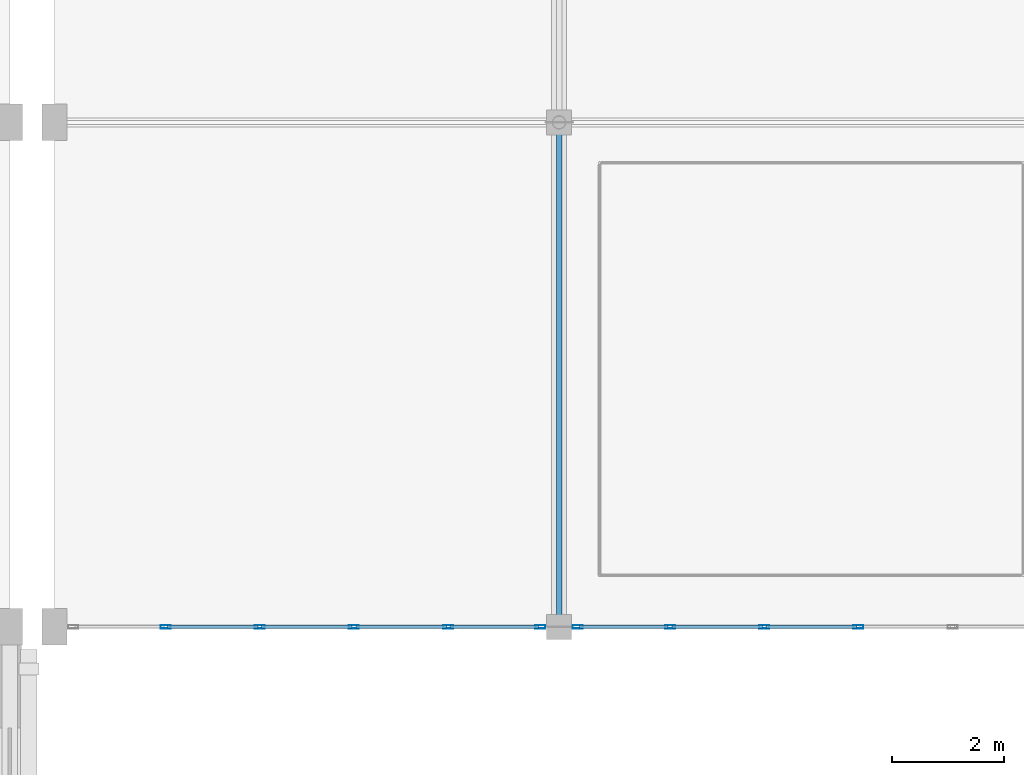
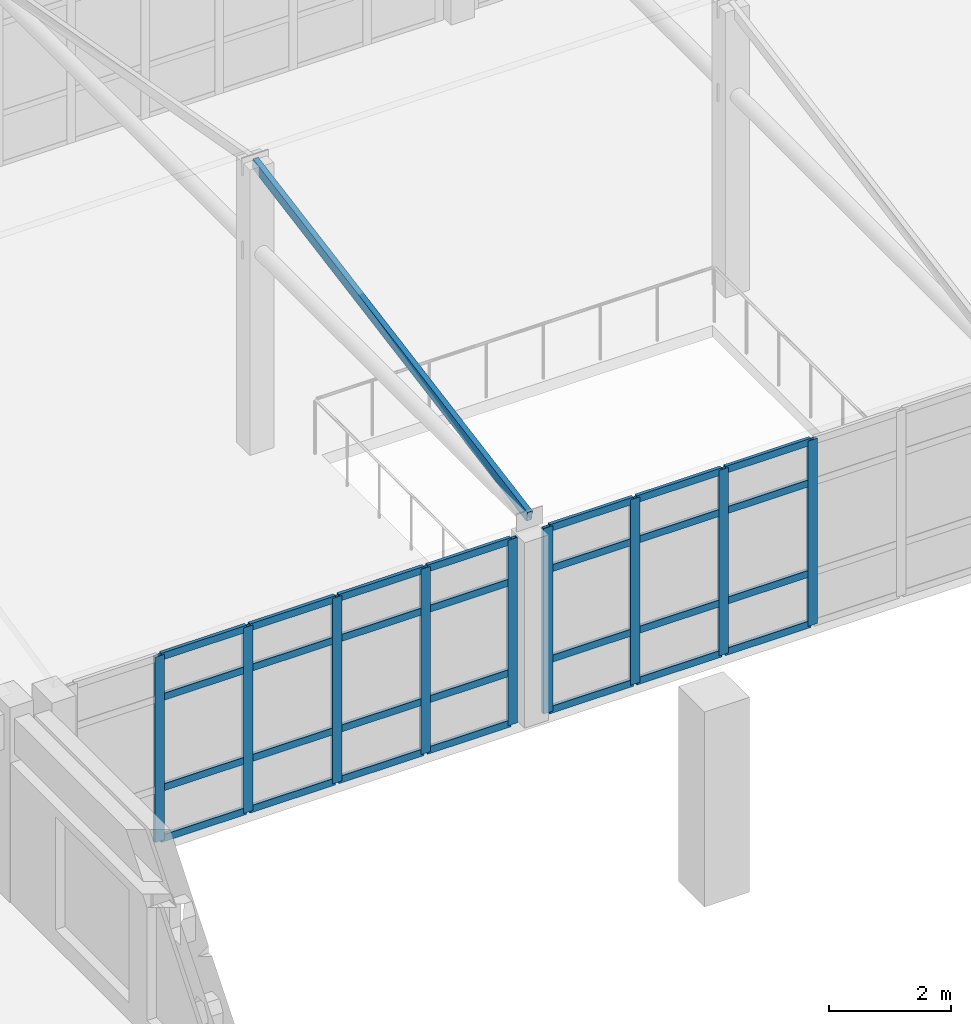
# One storey, part 91 of 156: 38 members, 2 elements without a shape of their own.
"""IFC4 building model written with IfcOpenShell, lengths in metres."""

from ifc_helpers import new_model, si_unit, direction, frame, origin, origin_2d, place, context, subcontext, project, spatial, hollow_rectangle, extrude, material, layer, layer_set, material_profile, profile_set, type_object, element, aggregate, save


model = new_model("IFC4")

# Units and contexts
model_context = context("Model", 3, precision=1e-05, world=origin(), true_north=direction((0.0, 1.0)))
body_context = subcontext(model_context, "Body", "Model", "MODEL_VIEW")
ifc_project = project(units=[si_unit("LENGTHUNIT", "METRE"), si_unit("AREAUNIT", "SQUARE_METRE"), si_unit("VOLUMEUNIT", "CUBIC_METRE"), si_unit("PLANEANGLEUNIT", "RADIAN"), si_unit("MASSUNIT", "GRAM", prefix="KILO")], contexts=[model_context])

# Site, building, storey
site_placement = place(None, origin())
site = spatial("IfcSite", under=ifc_project, at=site_placement, CompositionType="ELEMENT")
building_placement = place(site_placement, origin())
building = spatial("IfcBuilding", under=site, at=building_placement, Name="Ornek Quay Market", CompositionType="ELEMENT")
storey_placement = place(building_placement, frame((0.0, 0.0, 4.5)))
storey = spatial("IfcBuildingStorey", under=building, at=storey_placement, Name="L01", CompositionType="ELEMENT", Elevation=4.5)

# Curtain wall, members
ifc_material_1 = material(Name="Anodised bronze aluminium and triple low-e glass", Category="aluminium")
ifc_layer = layer(ifc_material_1, 0.199951171875, Name="Anodised bronze aluminium and triple low-e glass", Category="aluminium")
ifc_layer_set = layer_set([ifc_layer], Name="Anodised bronze aluminium and triple low-e glass")
curtain_wall_type = type_object("IfcCurtainWallType", Name="CW-CONC-MOD1800", PredefinedType="USERDEFINED", material=ifc_layer_set)
curtain_wall_1_placement = place(storey_placement, origin())
curtain_wall_1 = element("IfcCurtainWall", 1, at=curtain_wall_1_placement, inside=storey, type_object=curtain_wall_type, Name="Curtain wall CW-034", ObjectType="CURTAIN WALL", PredefinedType="USERDEFINED")
ifc_material_2 = material(Name="Anodised aluminium 6063-T6", Category="aluminium")
ifc_material_profile_1 = material_profile(ifc_material_2, hollow_rectangle(XDim=0.06494140625, YDim=0.179931640625, WallThickness=0.00439453125, at=origin_2d()), Name="CW-MUL-65x180", Category="aluminium")
ifc_profile_set_1 = profile_set([ifc_material_profile_1], Name="Anodised aluminium 6063-T6")
member_type_1 = type_object("IfcMemberType", Name="CW-MUL-65x180", PredefinedType="MULLION", material=ifc_profile_set_1)
member_1_placement = place(storey_placement, frame((127.97998046875, 92.0, 0.0), z_axis=(0.0, 0.0, 1.0), x_axis=(0.0, 1.0, 0.0)))
member_1 = element("IfcMember", 2, at=member_1_placement, type_object=member_type_1, Name="CW-034 mullion 2", PredefinedType="MULLION", context=body_context, shape_type="SweptSolid", body=[
    extrude(hollow_rectangle(XDim=0.06494140625, YDim=0.179931640625, WallThickness=0.00439453125, at=origin_2d()), origin(), (0.0, 0.0, 1.0), 3.7099609375),
])
member_2_placement = place(storey_placement, frame((129.659912109375, 92.0, 0.0), z_axis=(0.0, 0.0, 1.0), x_axis=(0.0, 1.0, 0.0)))
member_2 = element("IfcMember", 3, at=member_2_placement, type_object=member_type_1, Name="CW-034 mullion 3", PredefinedType="MULLION", context=body_context, shape_type="SweptSolid", body=[
    extrude(hollow_rectangle(XDim=0.06494140625, YDim=0.179931640625, WallThickness=0.00439453125, at=origin_2d()), origin(), (0.0, 0.0, 1.0), 3.7099609375),
])
member_3_placement = place(storey_placement, frame((131.340087890625, 92.0, 0.0), z_axis=(0.0, 0.0, 1.0), x_axis=(0.0, 1.0, 0.0)))
member_3 = element("IfcMember", 4, at=member_3_placement, type_object=member_type_1, Name="CW-034 mullion 4", PredefinedType="MULLION", context=body_context, shape_type="SweptSolid", body=[
    extrude(hollow_rectangle(XDim=0.06494140625, YDim=0.179931640625, WallThickness=0.00439453125, at=origin_2d()), origin(), (0.0, 0.0, 1.0), 3.7099609375),
])
member_4_placement = place(storey_placement, frame((133.02001953125, 92.0, 0.0), z_axis=(0.0, 0.0, 1.0), x_axis=(0.0, 1.0, 0.0)))
member_4 = element("IfcMember", 5, at=member_4_placement, type_object=member_type_1, Name="CW-034 mullion 5", PredefinedType="MULLION", context=body_context, shape_type="SweptSolid", body=[
    extrude(hollow_rectangle(XDim=0.06494140625, YDim=0.179931640625, WallThickness=0.00439453125, at=origin_2d()), origin(), (0.0, 0.0, 1.0), 3.7099609375),
])
member_5_placement = place(storey_placement, frame((134.66748046875, 92.0, 0.0), z_axis=(0.0, 0.0, 1.0), x_axis=(0.0, 1.0, 0.0)))
member_5 = element("IfcMember", 6, at=member_5_placement, type_object=member_type_1, Name="CW-034 mullion 6", PredefinedType="MULLION", context=body_context, shape_type="SweptSolid", body=[
    extrude(hollow_rectangle(XDim=0.06494140625, YDim=0.179931640625, WallThickness=0.00439453125, at=origin_2d()), origin(), (0.0, 0.0, 1.0), 3.7099609375),
])

curtain_wall_2_placement = place(storey_placement, origin())
curtain_wall_2 = element("IfcCurtainWall", 7, at=curtain_wall_2_placement, inside=storey, type_object=curtain_wall_type, Name="Curtain wall CW-038", ObjectType="CURTAIN WALL", PredefinedType="USERDEFINED")
member_6_placement = place(storey_placement, frame((135.33251953125, 92.0, 0.0), z_axis=(0.0, 0.0, 1.0), x_axis=(0.0, 1.0, 0.0)))
member_6 = element("IfcMember", 8, at=member_6_placement, type_object=member_type_1, Name="CW-038 mullion 1", PredefinedType="MULLION", context=body_context, shape_type="SweptSolid", body=[
    extrude(hollow_rectangle(XDim=0.06494140625, YDim=0.179931640625, WallThickness=0.00439453125, at=origin_2d()), origin(), (0.0, 0.0, 1.0), 3.7099609375),
])
member_7_placement = place(storey_placement, frame((136.97998046875, 92.0, 0.0), z_axis=(0.0, 0.0, 1.0), x_axis=(0.0, 1.0, 0.0)))
member_7 = element("IfcMember", 9, at=member_7_placement, type_object=member_type_1, Name="CW-038 mullion 2", PredefinedType="MULLION", context=body_context, shape_type="SweptSolid", body=[
    extrude(hollow_rectangle(XDim=0.06494140625, YDim=0.179931640625, WallThickness=0.00439453125, at=origin_2d()), origin(), (0.0, 0.0, 1.0), 3.7099609375),
])
member_8_placement = place(storey_placement, frame((138.659912109375, 92.0, 0.0), z_axis=(0.0, 0.0, 1.0), x_axis=(0.0, 1.0, 0.0)))
member_8 = element("IfcMember", 10, at=member_8_placement, type_object=member_type_1, Name="CW-038 mullion 3", PredefinedType="MULLION", context=body_context, shape_type="SweptSolid", body=[
    extrude(hollow_rectangle(XDim=0.06494140625, YDim=0.179931640625, WallThickness=0.00439453125, at=origin_2d()), origin(), (0.0, 0.0, 1.0), 3.7099609375),
])
member_9_placement = place(storey_placement, frame((140.340087890625, 92.0, 0.0), z_axis=(0.0, 0.0, 1.0), x_axis=(0.0, 1.0, 0.0)))
member_9 = element("IfcMember", 11, at=member_9_placement, type_object=member_type_1, Name="CW-038 mullion 4", PredefinedType="MULLION", context=body_context, shape_type="SweptSolid", body=[
    extrude(hollow_rectangle(XDim=0.06494140625, YDim=0.179931640625, WallThickness=0.00439453125, at=origin_2d()), origin(), (0.0, 0.0, 1.0), 3.7099609375),
])

# Member
ifc_material_profile_2 = material_profile(ifc_material_2, hollow_rectangle(XDim=0.06494140625, YDim=0.139892578125, WallThickness=0.00439453125, at=origin_2d()), Name="CW-TRN-65x140", Category="aluminium")
ifc_profile_set_2 = profile_set([ifc_material_profile_2], Name="Anodised aluminium 6063-T6")
member_type_2 = type_object("IfcMemberType", Name="CW-TRN-65x140", PredefinedType="USERDEFINED", material=ifc_profile_set_2)
member_10_placement = place(storey_placement, frame((128.012451171875, 92.0, 0.032470703125), z_axis=(1.0, 0.0, 0.0), x_axis=(0.0, 1.0, 0.0)))
member_10 = element("IfcMember", 12, at=member_10_placement, type_object=member_type_2, Name="CW-034 transom 2.1", ObjectType="TRANSOM", PredefinedType="USERDEFINED", context=body_context, shape_type="SweptSolid", body=[
    extrude(hollow_rectangle(XDim=0.06494140625, YDim=0.139892578125, WallThickness=0.00439453125, at=origin_2d()), origin(), (0.0, 0.0, 1.0), 1.614990234375),
])

member_11_placement = place(storey_placement, frame((128.012451171875, 92.0, 1.050048828125), z_axis=(1.0, 0.0, 0.0), x_axis=(0.0, 1.0, 0.0)))
member_11 = element("IfcMember", 13, at=member_11_placement, type_object=member_type_2, Name="CW-034 transom 2.2", ObjectType="TRANSOM", PredefinedType="USERDEFINED", context=body_context, shape_type="SweptSolid", body=[
    extrude(hollow_rectangle(XDim=0.06494140625, YDim=0.139892578125, WallThickness=0.00439453125, at=origin_2d()), origin(), (0.0, 0.0, 1.0), 1.614990234375),
])

member_12_placement = place(storey_placement, frame((128.012451171875, 92.0, 2.860107421875), z_axis=(1.0, 0.0, 0.0), x_axis=(0.0, 1.0, 0.0)))
member_12 = element("IfcMember", 14, at=member_12_placement, type_object=member_type_2, Name="CW-034 transom 2.3", ObjectType="TRANSOM", PredefinedType="USERDEFINED", context=body_context, shape_type="SweptSolid", body=[
    extrude(hollow_rectangle(XDim=0.06494140625, YDim=0.139892578125, WallThickness=0.00439453125, at=origin_2d()), origin(), (0.0, 0.0, 1.0), 1.614990234375),
])

member_13_placement = place(storey_placement, frame((128.012451171875, 92.0, 3.677490234375), z_axis=(1.0, 0.0, 0.0), x_axis=(0.0, 1.0, 0.0)))
member_13 = element("IfcMember", 15, at=member_13_placement, type_object=member_type_2, Name="CW-034 transom 2.4", ObjectType="TRANSOM", PredefinedType="USERDEFINED", context=body_context, shape_type="SweptSolid", body=[
    extrude(hollow_rectangle(XDim=0.06494140625, YDim=0.139892578125, WallThickness=0.00439453125, at=origin_2d()), origin(), (0.0, 0.0, 1.0), 1.614990234375),
])

member_14_placement = place(storey_placement, frame((129.6923828125, 92.0, 0.032470703125), z_axis=(1.0, 0.0, 0.0), x_axis=(0.0, 1.0, 0.0)))
member_14 = element("IfcMember", 16, at=member_14_placement, type_object=member_type_2, Name="CW-034 transom 3.1", ObjectType="TRANSOM", PredefinedType="USERDEFINED", context=body_context, shape_type="SweptSolid", body=[
    extrude(hollow_rectangle(XDim=0.06494140625, YDim=0.139892578125, WallThickness=0.00439453125, at=origin_2d()), origin(), (0.0, 0.0, 1.0), 1.615234375),
])

member_15_placement = place(storey_placement, frame((129.6923828125, 92.0, 1.050048828125), z_axis=(1.0, 0.0, 0.0), x_axis=(0.0, 1.0, 0.0)))
member_15 = element("IfcMember", 17, at=member_15_placement, type_object=member_type_2, Name="CW-034 transom 3.2", ObjectType="TRANSOM", PredefinedType="USERDEFINED", context=body_context, shape_type="SweptSolid", body=[
    extrude(hollow_rectangle(XDim=0.06494140625, YDim=0.139892578125, WallThickness=0.00439453125, at=origin_2d()), origin(), (0.0, 0.0, 1.0), 1.615234375),
])

member_16_placement = place(storey_placement, frame((129.6923828125, 92.0, 2.860107421875), z_axis=(1.0, 0.0, 0.0), x_axis=(0.0, 1.0, 0.0)))
member_16 = element("IfcMember", 18, at=member_16_placement, type_object=member_type_2, Name="CW-034 transom 3.3", ObjectType="TRANSOM", PredefinedType="USERDEFINED", context=body_context, shape_type="SweptSolid", body=[
    extrude(hollow_rectangle(XDim=0.06494140625, YDim=0.139892578125, WallThickness=0.00439453125, at=origin_2d()), origin(), (0.0, 0.0, 1.0), 1.615234375),
])

member_17_placement = place(storey_placement, frame((129.6923828125, 92.0, 3.677490234375), z_axis=(1.0, 0.0, 0.0), x_axis=(0.0, 1.0, 0.0)))
member_17 = element("IfcMember", 19, at=member_17_placement, type_object=member_type_2, Name="CW-034 transom 3.4", ObjectType="TRANSOM", PredefinedType="USERDEFINED", context=body_context, shape_type="SweptSolid", body=[
    extrude(hollow_rectangle(XDim=0.06494140625, YDim=0.139892578125, WallThickness=0.00439453125, at=origin_2d()), origin(), (0.0, 0.0, 1.0), 1.615234375),
])

member_18_placement = place(storey_placement, frame((131.37255859375, 92.0, 0.032470703125), z_axis=(1.0, 0.0, 0.0), x_axis=(0.0, 1.0, 0.0)))
member_18 = element("IfcMember", 20, at=member_18_placement, type_object=member_type_2, Name="CW-034 transom 4.1", ObjectType="TRANSOM", PredefinedType="USERDEFINED", context=body_context, shape_type="SweptSolid", body=[
    extrude(hollow_rectangle(XDim=0.06494140625, YDim=0.139892578125, WallThickness=0.00439453125, at=origin_2d()), origin(), (0.0, 0.0, 1.0), 1.614990234375),
])

member_19_placement = place(storey_placement, frame((131.37255859375, 92.0, 1.050048828125), z_axis=(1.0, 0.0, 0.0), x_axis=(0.0, 1.0, 0.0)))
member_19 = element("IfcMember", 21, at=member_19_placement, type_object=member_type_2, Name="CW-034 transom 4.2", ObjectType="TRANSOM", PredefinedType="USERDEFINED", context=body_context, shape_type="SweptSolid", body=[
    extrude(hollow_rectangle(XDim=0.06494140625, YDim=0.139892578125, WallThickness=0.00439453125, at=origin_2d()), origin(), (0.0, 0.0, 1.0), 1.614990234375),
])

member_20_placement = place(storey_placement, frame((131.37255859375, 92.0, 2.860107421875), z_axis=(1.0, 0.0, 0.0), x_axis=(0.0, 1.0, 0.0)))
member_20 = element("IfcMember", 22, at=member_20_placement, type_object=member_type_2, Name="CW-034 transom 4.3", ObjectType="TRANSOM", PredefinedType="USERDEFINED", context=body_context, shape_type="SweptSolid", body=[
    extrude(hollow_rectangle(XDim=0.06494140625, YDim=0.139892578125, WallThickness=0.00439453125, at=origin_2d()), origin(), (0.0, 0.0, 1.0), 1.614990234375),
])

member_21_placement = place(storey_placement, frame((131.37255859375, 92.0, 3.677490234375), z_axis=(1.0, 0.0, 0.0), x_axis=(0.0, 1.0, 0.0)))
member_21 = element("IfcMember", 23, at=member_21_placement, type_object=member_type_2, Name="CW-034 transom 4.4", ObjectType="TRANSOM", PredefinedType="USERDEFINED", context=body_context, shape_type="SweptSolid", body=[
    extrude(hollow_rectangle(XDim=0.06494140625, YDim=0.139892578125, WallThickness=0.00439453125, at=origin_2d()), origin(), (0.0, 0.0, 1.0), 1.614990234375),
])

member_22_placement = place(storey_placement, frame((133.052490234375, 92.0, 0.032470703125), z_axis=(1.0, 0.0, 0.0), x_axis=(0.0, 1.0, 0.0)))
member_22 = element("IfcMember", 24, at=member_22_placement, type_object=member_type_2, Name="CW-034 transom 5.1", ObjectType="TRANSOM", PredefinedType="USERDEFINED", context=body_context, shape_type="SweptSolid", body=[
    extrude(hollow_rectangle(XDim=0.06494140625, YDim=0.139892578125, WallThickness=0.00439453125, at=origin_2d()), origin(), (0.0, 0.0, 1.0), 1.58251953125),
])

member_23_placement = place(storey_placement, frame((133.052490234375, 92.0, 1.050048828125), z_axis=(1.0, 0.0, 0.0), x_axis=(0.0, 1.0, 0.0)))
member_23 = element("IfcMember", 25, at=member_23_placement, type_object=member_type_2, Name="CW-034 transom 5.2", ObjectType="TRANSOM", PredefinedType="USERDEFINED", context=body_context, shape_type="SweptSolid", body=[
    extrude(hollow_rectangle(XDim=0.06494140625, YDim=0.139892578125, WallThickness=0.00439453125, at=origin_2d()), origin(), (0.0, 0.0, 1.0), 1.58251953125),
])

member_24_placement = place(storey_placement, frame((133.052490234375, 92.0, 2.860107421875), z_axis=(1.0, 0.0, 0.0), x_axis=(0.0, 1.0, 0.0)))
member_24 = element("IfcMember", 26, at=member_24_placement, type_object=member_type_2, Name="CW-034 transom 5.3", ObjectType="TRANSOM", PredefinedType="USERDEFINED", context=body_context, shape_type="SweptSolid", body=[
    extrude(hollow_rectangle(XDim=0.06494140625, YDim=0.139892578125, WallThickness=0.00439453125, at=origin_2d()), origin(), (0.0, 0.0, 1.0), 1.58251953125),
])

member_25_placement = place(storey_placement, frame((133.052490234375, 92.0, 3.677490234375), z_axis=(1.0, 0.0, 0.0), x_axis=(0.0, 1.0, 0.0)))
member_25 = element("IfcMember", 27, at=member_25_placement, type_object=member_type_2, Name="CW-034 transom 5.4", ObjectType="TRANSOM", PredefinedType="USERDEFINED", context=body_context, shape_type="SweptSolid", body=[
    extrude(hollow_rectangle(XDim=0.06494140625, YDim=0.139892578125, WallThickness=0.00439453125, at=origin_2d()), origin(), (0.0, 0.0, 1.0), 1.58251953125),
])

aggregate(curtain_wall_1, [member_1, member_2, member_3, member_4, member_5, member_10, member_11, member_12, member_13, member_14, member_15, member_16, member_17, member_18, member_19, member_20, member_21, member_22, member_23, member_24, member_25])

member_26_placement = place(storey_placement, frame((135.364990234375, 92.0, 0.032470703125), z_axis=(1.0, 0.0, 0.0), x_axis=(0.0, 1.0, 0.0)))
member_26 = element("IfcMember", 28, at=member_26_placement, type_object=member_type_2, Name="CW-038 transom 1.1", ObjectType="TRANSOM", PredefinedType="USERDEFINED", context=body_context, shape_type="SweptSolid", body=[
    extrude(hollow_rectangle(XDim=0.06494140625, YDim=0.139892578125, WallThickness=0.00439453125, at=origin_2d()), origin(), (0.0, 0.0, 1.0), 1.58251953125),
])

member_27_placement = place(storey_placement, frame((135.364990234375, 92.0, 1.050048828125), z_axis=(1.0, 0.0, 0.0), x_axis=(0.0, 1.0, 0.0)))
member_27 = element("IfcMember", 29, at=member_27_placement, type_object=member_type_2, Name="CW-038 transom 1.2", ObjectType="TRANSOM", PredefinedType="USERDEFINED", context=body_context, shape_type="SweptSolid", body=[
    extrude(hollow_rectangle(XDim=0.06494140625, YDim=0.139892578125, WallThickness=0.00439453125, at=origin_2d()), origin(), (0.0, 0.0, 1.0), 1.58251953125),
])

member_28_placement = place(storey_placement, frame((135.364990234375, 92.0, 2.860107421875), z_axis=(1.0, 0.0, 0.0), x_axis=(0.0, 1.0, 0.0)))
member_28 = element("IfcMember", 30, at=member_28_placement, type_object=member_type_2, Name="CW-038 transom 1.3", ObjectType="TRANSOM", PredefinedType="USERDEFINED", context=body_context, shape_type="SweptSolid", body=[
    extrude(hollow_rectangle(XDim=0.06494140625, YDim=0.139892578125, WallThickness=0.00439453125, at=origin_2d()), origin(), (0.0, 0.0, 1.0), 1.58251953125),
])

member_29_placement = place(storey_placement, frame((135.364990234375, 92.0, 3.677490234375), z_axis=(1.0, 0.0, 0.0), x_axis=(0.0, 1.0, 0.0)))
member_29 = element("IfcMember", 31, at=member_29_placement, type_object=member_type_2, Name="CW-038 transom 1.4", ObjectType="TRANSOM", PredefinedType="USERDEFINED", context=body_context, shape_type="SweptSolid", body=[
    extrude(hollow_rectangle(XDim=0.06494140625, YDim=0.139892578125, WallThickness=0.00439453125, at=origin_2d()), origin(), (0.0, 0.0, 1.0), 1.58251953125),
])

member_30_placement = place(storey_placement, frame((137.012451171875, 92.0, 0.032470703125), z_axis=(1.0, 0.0, 0.0), x_axis=(0.0, 1.0, 0.0)))
member_30 = element("IfcMember", 32, at=member_30_placement, type_object=member_type_2, Name="CW-038 transom 2.1", ObjectType="TRANSOM", PredefinedType="USERDEFINED", context=body_context, shape_type="SweptSolid", body=[
    extrude(hollow_rectangle(XDim=0.06494140625, YDim=0.139892578125, WallThickness=0.00439453125, at=origin_2d()), origin(), (0.0, 0.0, 1.0), 1.614990234375),
])

member_31_placement = place(storey_placement, frame((137.012451171875, 92.0, 1.050048828125), z_axis=(1.0, 0.0, 0.0), x_axis=(0.0, 1.0, 0.0)))
member_31 = element("IfcMember", 33, at=member_31_placement, type_object=member_type_2, Name="CW-038 transom 2.2", ObjectType="TRANSOM", PredefinedType="USERDEFINED", context=body_context, shape_type="SweptSolid", body=[
    extrude(hollow_rectangle(XDim=0.06494140625, YDim=0.139892578125, WallThickness=0.00439453125, at=origin_2d()), origin(), (0.0, 0.0, 1.0), 1.614990234375),
])

member_32_placement = place(storey_placement, frame((137.012451171875, 92.0, 2.860107421875), z_axis=(1.0, 0.0, 0.0), x_axis=(0.0, 1.0, 0.0)))
member_32 = element("IfcMember", 34, at=member_32_placement, type_object=member_type_2, Name="CW-038 transom 2.3", ObjectType="TRANSOM", PredefinedType="USERDEFINED", context=body_context, shape_type="SweptSolid", body=[
    extrude(hollow_rectangle(XDim=0.06494140625, YDim=0.139892578125, WallThickness=0.00439453125, at=origin_2d()), origin(), (0.0, 0.0, 1.0), 1.614990234375),
])

member_33_placement = place(storey_placement, frame((137.012451171875, 92.0, 3.677490234375), z_axis=(1.0, 0.0, 0.0), x_axis=(0.0, 1.0, 0.0)))
member_33 = element("IfcMember", 35, at=member_33_placement, type_object=member_type_2, Name="CW-038 transom 2.4", ObjectType="TRANSOM", PredefinedType="USERDEFINED", context=body_context, shape_type="SweptSolid", body=[
    extrude(hollow_rectangle(XDim=0.06494140625, YDim=0.139892578125, WallThickness=0.00439453125, at=origin_2d()), origin(), (0.0, 0.0, 1.0), 1.614990234375),
])

member_34_placement = place(storey_placement, frame((138.6923828125, 92.0, 0.032470703125), z_axis=(1.0, 0.0, 0.0), x_axis=(0.0, 1.0, 0.0)))
member_34 = element("IfcMember", 36, at=member_34_placement, type_object=member_type_2, Name="CW-038 transom 3.1", ObjectType="TRANSOM", PredefinedType="USERDEFINED", context=body_context, shape_type="SweptSolid", body=[
    extrude(hollow_rectangle(XDim=0.06494140625, YDim=0.139892578125, WallThickness=0.00439453125, at=origin_2d()), origin(), (0.0, 0.0, 1.0), 1.615234375),
])

member_35_placement = place(storey_placement, frame((138.6923828125, 92.0, 1.050048828125), z_axis=(1.0, 0.0, 0.0), x_axis=(0.0, 1.0, 0.0)))
member_35 = element("IfcMember", 37, at=member_35_placement, type_object=member_type_2, Name="CW-038 transom 3.2", ObjectType="TRANSOM", PredefinedType="USERDEFINED", context=body_context, shape_type="SweptSolid", body=[
    extrude(hollow_rectangle(XDim=0.06494140625, YDim=0.139892578125, WallThickness=0.00439453125, at=origin_2d()), origin(), (0.0, 0.0, 1.0), 1.615234375),
])

member_36_placement = place(storey_placement, frame((138.6923828125, 92.0, 2.860107421875), z_axis=(1.0, 0.0, 0.0), x_axis=(0.0, 1.0, 0.0)))
member_36 = element("IfcMember", 38, at=member_36_placement, type_object=member_type_2, Name="CW-038 transom 3.3", ObjectType="TRANSOM", PredefinedType="USERDEFINED", context=body_context, shape_type="SweptSolid", body=[
    extrude(hollow_rectangle(XDim=0.06494140625, YDim=0.139892578125, WallThickness=0.00439453125, at=origin_2d()), origin(), (0.0, 0.0, 1.0), 1.615234375),
])

member_37_placement = place(storey_placement, frame((138.6923828125, 92.0, 3.677490234375), z_axis=(1.0, 0.0, 0.0), x_axis=(0.0, 1.0, 0.0)))
member_37 = element("IfcMember", 39, at=member_37_placement, type_object=member_type_2, Name="CW-038 transom 3.4", ObjectType="TRANSOM", PredefinedType="USERDEFINED", context=body_context, shape_type="SweptSolid", body=[
    extrude(hollow_rectangle(XDim=0.06494140625, YDim=0.139892578125, WallThickness=0.00439453125, at=origin_2d()), origin(), (0.0, 0.0, 1.0), 1.615234375),
])

aggregate(curtain_wall_2, [member_6, member_7, member_8, member_9, member_26, member_27, member_28, member_29, member_30, member_31, member_32, member_33, member_34, member_35, member_36, member_37])

ifc_material_3 = material(Name="Steel S355", Category="steel")
ifc_material_profile_3 = material_profile(ifc_material_3, hollow_rectangle(XDim=0.10009765625, YDim=0.199951171875, WallThickness=0.008056640625, at=origin_2d()), Name="MBR-RAF-100x200", Category="steel")
ifc_profile_set_3 = profile_set([ifc_material_profile_3], Name="Steel S355")
member_type_3 = type_object("IfcMemberType", Name="MBR-RAF-100x200", PredefinedType="RAFTER", material=ifc_profile_set_3)
member_38_placement = place(storey_placement, frame((135.0, 92.0, 4.030029296875), z_axis=(0.0, 0.984185744367, 0.177139551158), x_axis=(-1.0, 0.0, 0.0)))
element("IfcMember", 40, at=member_38_placement, inside=storey, type_object=member_type_3, Name="Concourse skylight rafter E-135-S", PredefinedType="RAFTER", context=body_context, shape_type="SweptSolid", body=[
    extrude(hollow_rectangle(XDim=0.10009765625, YDim=0.199951171875, WallThickness=0.008056640625, at=origin_2d()), origin(), (0.0, 0.0, 1.0), 9.14453125),
])

save(model, "model.ifc")
